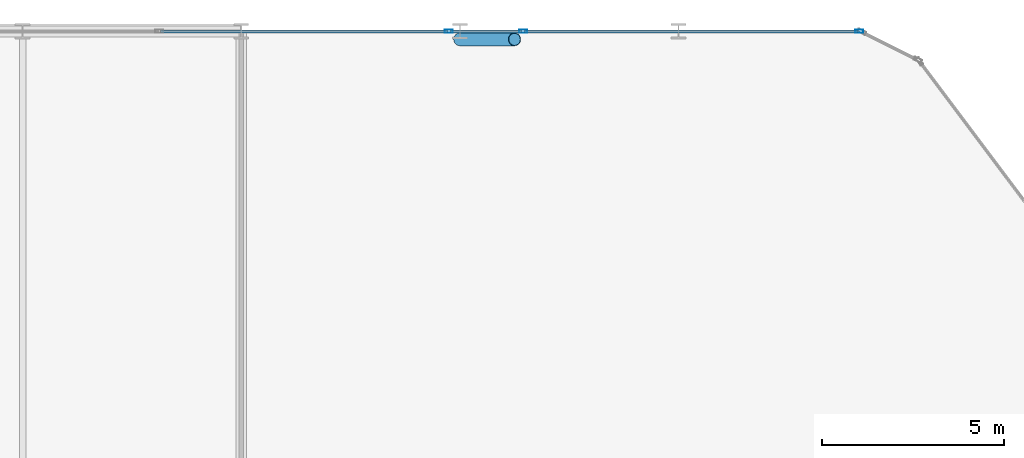
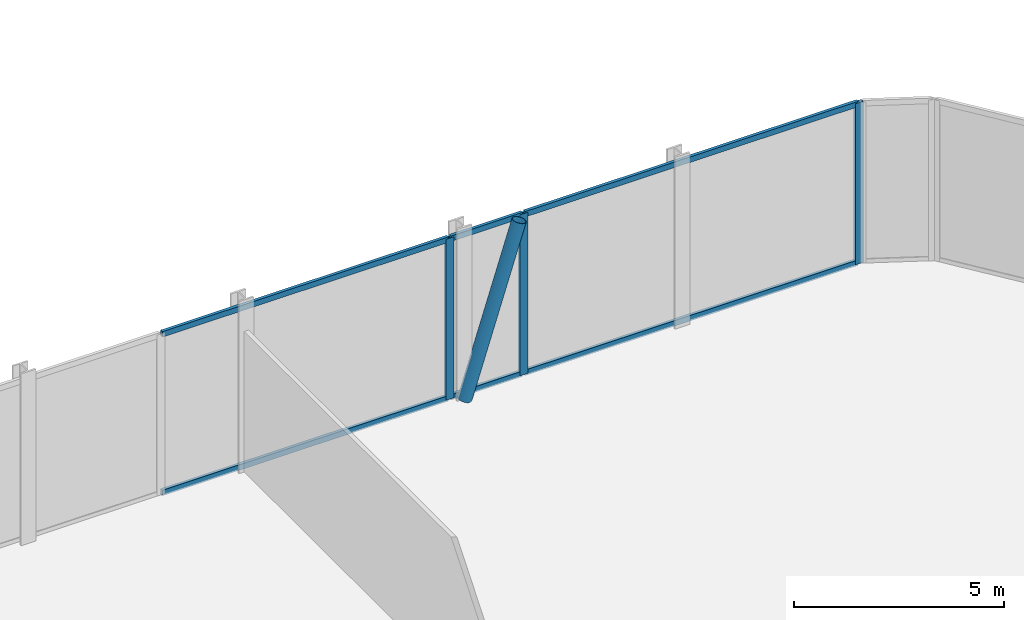
# One storey, part 13 of 29: 10 members, 3 elements without a shape of their own.
"""IFC4 building model written with IfcOpenShell, lengths in metres."""

from ifc_helpers import new_model, si_unit, direction, frame, origin, origin_2d, place, context, subcontext, project, spatial, hollow_rectangle, hollow_circle, extrude, material, layer, layer_set, material_profile, profile_set, type_object, element, aggregate, save


model = new_model("IFC4")

# Units and contexts
model_context = context("Model", 3, precision=1e-05, world=origin(), true_north=direction((0.0, 1.0)))
body_context = subcontext(model_context, "Body", "Model", "MODEL_VIEW")
ifc_project = project(units=[si_unit("LENGTHUNIT", "METRE"), si_unit("AREAUNIT", "SQUARE_METRE"), si_unit("VOLUMEUNIT", "CUBIC_METRE"), si_unit("PLANEANGLEUNIT", "RADIAN"), si_unit("MASSUNIT", "GRAM", prefix="KILO")], contexts=[model_context])

# Site, building, storey
site_placement = place(None, origin())
site = spatial("IfcSite", under=ifc_project, at=site_placement, CompositionType="ELEMENT")
building_placement = place(site_placement, origin())
building = spatial("IfcBuilding", under=site, at=building_placement, Name="Keshet Zoharim Tower", CompositionType="ELEMENT")
storey_placement = place(building_placement, frame((0.0, 0.0, 19.0)))
storey = spatial("IfcBuildingStorey", under=building, at=storey_placement, Name="L03", CompositionType="ELEMENT", Elevation=19.0)

# Curtain wall, member
ifc_material_1 = material(Name="Aluminium 6063-T6", Category="aluminium")
ifc_layer = layer(ifc_material_1, 0.169921875)
ifc_layer_set = layer_set([ifc_layer], Name="Aluminium 6063-T6")
curtain_wall_type = type_object("IfcCurtainWallType", Name="CW-SYS-02", PredefinedType="NOTDEFINED", material=ifc_layer_set)
curtain_wall_1_placement = place(storey_placement, origin())
curtain_wall_1 = element("IfcCurtainWall", 1, at=curtain_wall_1_placement, inside=storey, type_object=curtain_wall_type, Name="L03 Unitised Curtain Wall 06 Part 3", PredefinedType="NOTDEFINED")
ifc_material_profile_1 = material_profile(ifc_material_1, hollow_rectangle(XDim=0.090087890625, YDim=0.219970703125, WallThickness=0.0048828125, at=origin_2d()), Name="MUL-90x220")
ifc_profile_set_1 = profile_set([ifc_material_profile_1], Name="Aluminium 6063-T6")
member_type_1 = type_object("IfcMemberType", Name="CWM-M22", PredefinedType="MULLION", material=ifc_profile_set_1)
member_1_placement = place(storey_placement, frame((38.69580078125, 53.89990234375, 0.0), z_axis=(0.0, 0.0, 1.0), x_axis=(0.0, 1.0, 0.0)))
member_1 = element("IfcMember", 2, at=member_1_placement, type_object=member_type_1, Name="CW-02 mullion 3", PredefinedType="MULLION", context=body_context, shape_type="SweptSolid", body=[
    extrude(hollow_rectangle(XDim=0.090087890625, YDim=0.219970703125, WallThickness=0.0048828125, at=origin_2d()), origin(), (0.0, 0.0, 1.0), 4.68505859375),
])

curtain_wall_2_placement = place(storey_placement, origin())
curtain_wall_2 = element("IfcCurtainWall", 3, at=curtain_wall_2_placement, inside=storey, type_object=curtain_wall_type, Name="L03 Unitised Curtain Wall 06 Part 4", PredefinedType="NOTDEFINED")
member_2_placement = place(storey_placement, frame((40.734375, 53.89990234375, 0.0), z_axis=(0.0, 0.0, 1.0), x_axis=(0.0, 1.0, 0.0)))
member_2 = element("IfcMember", 4, at=member_2_placement, type_object=member_type_1, Name="CW-02 mullion 2", PredefinedType="MULLION", context=body_context, shape_type="SweptSolid", body=[
    extrude(hollow_rectangle(XDim=0.090087890625, YDim=0.219970703125, WallThickness=0.0048828125, at=origin_2d()), origin(), (0.0, 0.0, 1.0), 4.68505859375),
])

curtain_wall_3_placement = place(storey_placement, origin())
curtain_wall_3 = element("IfcCurtainWall", 5, at=curtain_wall_3_placement, inside=storey, type_object=curtain_wall_type, Name="L03 Unitised Curtain Wall 06 Part 5", PredefinedType="NOTDEFINED")
member_3_placement = place(storey_placement, frame((49.965087890625, 53.89990234375, 0.0), z_axis=(0.0, 0.0, 1.0), x_axis=(0.0, 1.0, 0.0)))
member_3 = element("IfcMember", 6, at=member_3_placement, type_object=member_type_1, Name="CW-02 mullion 2", PredefinedType="MULLION", context=body_context, shape_type="SweptSolid", body=[
    extrude(hollow_rectangle(XDim=0.090087890625, YDim=0.219970703125, WallThickness=0.0048828125, at=origin_2d()), origin(), (0.0, 0.0, 1.0), 4.68505859375),
])

# Member
ifc_material_profile_2 = material_profile(ifc_material_1, hollow_rectangle(XDim=0.0849609375, YDim=0.159912109375, WallThickness=0.00439453125, at=origin_2d()), Name="TRN-85x160")
ifc_profile_set_2 = profile_set([ifc_material_profile_2], Name="Aluminium 6063-T6")
member_type_2 = type_object("IfcMemberType", Name="CWT-T16", PredefinedType="USERDEFINED", material=ifc_profile_set_2)
member_4_placement = place(storey_placement, frame((30.784912109375, 53.89990234375, 0.034912109375), z_axis=(1.0, 0.0, 0.0), x_axis=(0.0, 1.0, 0.0)))
member_4 = element("IfcMember", 7, at=member_4_placement, type_object=member_type_2, Name="CW-02 transom 2.1", ObjectType="TRANSOM", PredefinedType="USERDEFINED", context=body_context, shape_type="SweptSolid", body=[
    extrude(hollow_rectangle(XDim=0.0849609375, YDim=0.159912109375, WallThickness=0.00439453125, at=origin_2d()), origin(), (0.0, 0.0, 1.0), 7.875732421875),
])

member_5_placement = place(storey_placement, frame((30.784912109375, 53.89990234375, 4.64990234375), z_axis=(1.0, 0.0, 0.0), x_axis=(0.0, 1.0, 0.0)))
member_5 = element("IfcMember", 8, at=member_5_placement, type_object=member_type_2, Name="CW-02 transom 2.2", ObjectType="TRANSOM", PredefinedType="USERDEFINED", context=body_context, shape_type="SweptSolid", body=[
    extrude(hollow_rectangle(XDim=0.0849609375, YDim=0.159912109375, WallThickness=0.00439453125, at=origin_2d()), origin(), (0.0, 0.0, 1.0), 7.875732421875),
])

aggregate(curtain_wall_1, [member_1, member_4, member_5])

member_6_placement = place(storey_placement, frame((38.730712890625, 53.89990234375, 0.034912109375), z_axis=(1.0, 0.0, 0.0), x_axis=(0.0, 1.0, 0.0)))
member_6 = element("IfcMember", 9, at=member_6_placement, type_object=member_type_2, Name="CW-02 transom 1.1", ObjectType="TRANSOM", PredefinedType="USERDEFINED", context=body_context, shape_type="SweptSolid", body=[
    extrude(hollow_rectangle(XDim=0.0849609375, YDim=0.159912109375, WallThickness=0.00439453125, at=origin_2d()), origin(), (0.0, 0.0, 1.0), 1.968505859375),
])

member_7_placement = place(storey_placement, frame((38.730712890625, 53.89990234375, 4.64990234375), z_axis=(1.0, 0.0, 0.0), x_axis=(0.0, 1.0, 0.0)))
member_7 = element("IfcMember", 10, at=member_7_placement, type_object=member_type_2, Name="CW-02 transom 1.2", ObjectType="TRANSOM", PredefinedType="USERDEFINED", context=body_context, shape_type="SweptSolid", body=[
    extrude(hollow_rectangle(XDim=0.0849609375, YDim=0.159912109375, WallThickness=0.00439453125, at=origin_2d()), origin(), (0.0, 0.0, 1.0), 1.968505859375),
])

aggregate(curtain_wall_2, [member_2, member_6, member_7])

member_8_placement = place(storey_placement, frame((40.769287109375, 53.89990234375, 0.034912109375), z_axis=(1.0, 0.0, 0.0), x_axis=(0.0, 1.0, 0.0)))
member_8 = element("IfcMember", 11, at=member_8_placement, type_object=member_type_2, Name="CW-02 transom 1.1", ObjectType="TRANSOM", PredefinedType="USERDEFINED", context=body_context, shape_type="SweptSolid", body=[
    extrude(hollow_rectangle(XDim=0.0849609375, YDim=0.159912109375, WallThickness=0.00439453125, at=origin_2d()), origin(), (0.0, 0.0, 1.0), 9.16064453125),
])

member_9_placement = place(storey_placement, frame((40.769287109375, 53.89990234375, 4.64990234375), z_axis=(1.0, 0.0, 0.0), x_axis=(0.0, 1.0, 0.0)))
member_9 = element("IfcMember", 12, at=member_9_placement, type_object=member_type_2, Name="CW-02 transom 1.2", ObjectType="TRANSOM", PredefinedType="USERDEFINED", context=body_context, shape_type="SweptSolid", body=[
    extrude(hollow_rectangle(XDim=0.0849609375, YDim=0.159912109375, WallThickness=0.00439453125, at=origin_2d()), origin(), (0.0, 0.0, 1.0), 9.16064453125),
])

aggregate(curtain_wall_3, [member_3, member_8, member_9])

ifc_material_2 = material(Name="Steel S355", Category="steel")
ifc_material_profile_3 = material_profile(ifc_material_2, hollow_circle(Radius=0.177734375, WallThickness=0.012451171875, at=origin_2d()), Name="CHS355x12.5")
ifc_profile_set_3 = profile_set([ifc_material_profile_3], Name="Steel S355")
member_type_3 = type_object("IfcMemberType", Name="MB-BR-C355", PredefinedType="BRACE", material=ifc_profile_set_3)
member_10_placement = place(storey_placement, frame((39.0, 53.679931640625, 0.0), z_axis=(0.304919784201, 0.0, 0.952378036917), x_axis=(0.0, 1.0, 0.0)))
element("IfcMember", 13, at=member_10_placement, inside=storey, type_object=member_type_3, Name="L03 Perimeter Tube Brace 04", PredefinedType="BRACE", context=body_context, shape_type="SweptSolid", body=[
    extrude(hollow_circle(Radius=0.177734375, WallThickness=0.012451171875, at=origin_2d()), origin(), (0.0, 0.0, 1.0), 4.91943359375),
])

save(model, "model.ifc")
